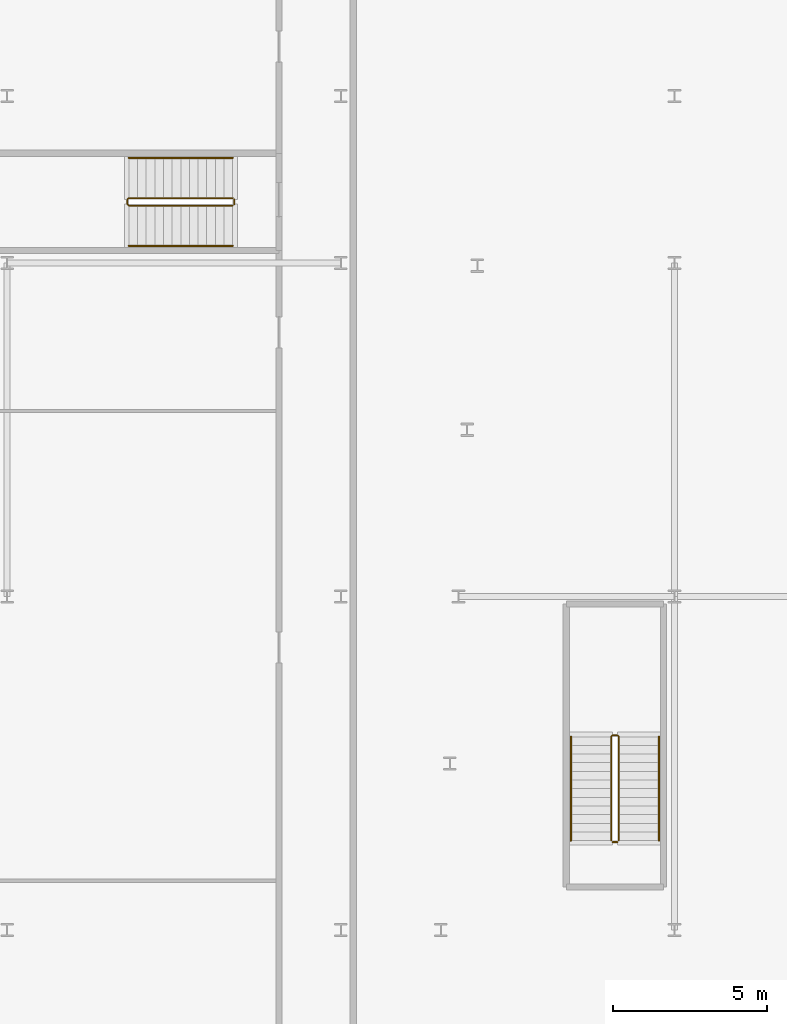
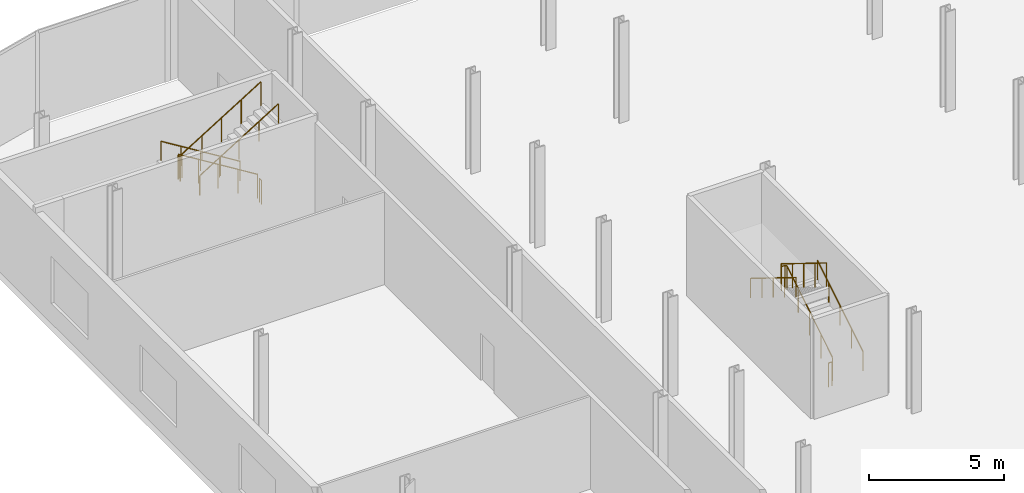
# One storey, part 45 of 47: 8 railings.
"""IFC4 building model written with IfcOpenShell, lengths in metres."""

from ifc_helpers import new_model, si_unit, direction, frame, origin, origin_2d, place, context, subcontext, project, spatial, circle, extrude, material, type_object, element, save


model = new_model("IFC4")

# Units and contexts
model_context = context("Model", 3, precision=1e-05, world=origin(), true_north=direction((0.0, 1.0)))
body_context = subcontext(model_context, "Body", "Model", "MODEL_VIEW")
ifc_project = project(units=[si_unit("LENGTHUNIT", "METRE"), si_unit("AREAUNIT", "SQUARE_METRE"), si_unit("VOLUMEUNIT", "CUBIC_METRE"), si_unit("PLANEANGLEUNIT", "RADIAN"), si_unit("MASSUNIT", "GRAM", prefix="KILO")], contexts=[model_context])

# Site, building, storey
site_placement = place(None, origin())
site = spatial("IfcSite", under=ifc_project, at=site_placement, CompositionType="ELEMENT")
building_placement = place(site_placement, origin())
building = spatial("IfcBuilding", under=site, at=building_placement, Name="Kheshtan School and Residences Tower", CompositionType="ELEMENT")
storey_placement = place(building_placement, frame((0.0, 0.0, 21.5)))
storey = spatial("IfcBuildingStorey", under=building, at=storey_placement, Name="L04", CompositionType="ELEMENT", Elevation=21.5)

# Railings
ifc_material_1 = material(Name="Stainless steel balustrade", Category="steel")
railing_type_1 = type_object("IfcRailingType", Name="Stair guard 1100", PredefinedType="GUARDRAIL", material=ifc_material_1)
railing_1_placement = place(storey_placement, frame((35.0, 80.89990234375, 0.173095703125)))
element("IfcRailing", 1, at=railing_1_placement, inside=storey, type_object=railing_type_1, Name="L04 ST3 stair guard 1", PredefinedType="GUARDRAIL", context=body_context, shape_type="SweptSolid", body=[
    extrude(circle(Radius=0.02392578125, at=origin_2d()), frame((0.0, 0.0, 1.076171875), z_axis=(0.0, 0.850623216509, 0.525775754039), x_axis=(-1.0, 0.0, 0.0)), (0.0, 0.0, 1.0), 3.9501953125),
    extrude(circle(Radius=0.02392578125, at=origin_2d()), frame((0.0, 3.360107421875, 3.15283203125), z_axis=(-0.707106781187, 0.707106781187, 0.0), x_axis=(-0.707106781187, -0.707106781187, 0.0)), (0.0, 0.0, 1.0), 0.07080078125),
    extrude(circle(Radius=0.02392578125, at=origin_2d()), frame((-0.050048828125, 3.41015625, 3.15283203125), z_axis=(-1.0, 0.0, 0.0), x_axis=(0.0, -1.0, 0.0)), (0.0, 0.0, 1.0), 0.14990234375),
    extrude(circle(Radius=0.02392578125, at=origin_2d()), frame((-0.199951171875, 3.41015625, 3.15283203125), z_axis=(-0.267629722418, -0.267629722418, 0.925607186314), x_axis=(0.707106781187, -0.707106781187, 0.0)), (0.0, 0.0, 1.0), 0.18701171875),
    extrude(circle(Radius=0.02392578125, at=origin_2d()), frame((-0.25, 3.360107421875, 3.326171875), z_axis=(0.0, -0.850623216509, 0.525775754039), x_axis=(1.0, 0.0, 0.0)), (0.0, 0.0, 1.0), 3.9501953125),
    extrude(circle(Radius=0.02099609375, at=origin_2d()), origin(), (0.0, 0.0, 1.0), 1.052001953125),
    extrude(circle(Radius=0.02099609375, at=origin_2d()), frame((0.0, 0.840087890625, 0.519287109375)), (0.0, 0.0, 1.0), 1.052001953125),
    extrude(circle(Radius=0.02099609375, at=origin_2d()), frame((0.0, 1.68017578125, 1.03857421875)), (0.0, 0.0, 1.0), 1.052001953125),
    extrude(circle(Radius=0.02099609375, at=origin_2d()), frame((0.0, 2.52001953125, 1.5576171875)), (0.0, 0.0, 1.0), 1.052001953125),
    extrude(circle(Radius=0.02099609375, at=origin_2d()), frame((0.0, 3.360107421875, 2.076904296875)), (0.0, 0.0, 1.0), 1.052001953125),
    extrude(circle(Radius=0.02099609375, at=origin_2d()), frame((-0.050048828125, 3.41015625, 2.076904296875)), (0.0, 0.0, 1.0), 1.052001953125),
    extrude(circle(Radius=0.02099609375, at=origin_2d()), frame((-0.199951171875, 3.41015625, 2.076904296875)), (0.0, 0.0, 1.0), 1.052001953125),
    extrude(circle(Radius=0.02099609375, at=origin_2d()), frame((-0.25, 3.360107421875, 2.25)), (0.0, 0.0, 1.0), 1.052001953125),
    extrude(circle(Radius=0.02099609375, at=origin_2d()), frame((-0.25, 2.52001953125, 2.769287109375)), (0.0, 0.0, 1.0), 1.052001953125),
    extrude(circle(Radius=0.02099609375, at=origin_2d()), frame((-0.25, 1.68017578125, 3.28857421875)), (0.0, 0.0, 1.0), 1.052001953125),
    extrude(circle(Radius=0.02099609375, at=origin_2d()), frame((-0.25, 0.840087890625, 3.8076171875)), (0.0, 0.0, 1.0), 1.052001953125),
    extrude(circle(Radius=0.02099609375, at=origin_2d()), frame((-0.25, 0.0, 4.326904296875)), (0.0, 0.0, 1.0), 1.052001953125),
])
railing_2_placement = place(storey_placement, frame((34.949951171875, 80.85009765625, 0.0)))
element("IfcRailing", 2, at=railing_2_placement, inside=storey, type_object=railing_type_1, Name="L04 ST3 stair guard 2", PredefinedType="GUARDRAIL", context=body_context, shape_type="SweptSolid", body=[
    extrude(circle(Radius=0.02392578125, at=origin_2d()), frame((0.0, 0.0, 1.076171875), z_axis=(-1.0, 0.0, 0.0), x_axis=(0.0, -1.0, 0.0)), (0.0, 0.0, 1.0), 0.14990234375),
    extrude(circle(Radius=0.02099609375, at=origin_2d()), origin(), (0.0, 0.0, 1.0), 1.052001953125),
    extrude(circle(Radius=0.02099609375, at=origin_2d()), frame((-0.14990234375, 0.0, 0.0)), (0.0, 0.0, 1.0), 1.052001953125),
])
railing_3_placement = place(storey_placement, frame((22.5, 101.699951171875, 0.173095703125)))
element("IfcRailing", 3, at=railing_3_placement, inside=storey, type_object=railing_type_1, Name="L04 PS-012-100 stair guard 1", PredefinedType="GUARDRAIL", context=body_context, shape_type="SweptSolid", body=[
    extrude(circle(Radius=0.02392578125, at=origin_2d()), frame((0.0, 0.0, 1.076171875), z_axis=(-0.850623216509, 0.0, 0.525775754039), x_axis=(0.0, -1.0, 0.0)), (0.0, 0.0, 1.0), 3.9501953125),
    extrude(circle(Radius=0.02392578125, at=origin_2d()), frame((-3.360107421875, 0.0, 3.15283203125), z_axis=(-0.705375805398, -0.708833529934, 0.0), x_axis=(0.708833529934, -0.705375805398, 0.0)), (0.0, 0.0, 1.0), 0.070556640625),
    extrude(circle(Radius=0.02392578125, at=origin_2d()), frame((-3.409912109375, -0.050048828125, 3.15283203125), z_axis=(0.0, -1.0, 0.0), x_axis=(1.0, 0.0, 0.0)), (0.0, 0.0, 1.0), 0.14990234375),
    extrude(circle(Radius=0.02392578125, at=origin_2d()), frame((-3.409912109375, -0.199951171875, 3.15283203125), z_axis=(0.266417085129, -0.267723051232, 0.925929967433), x_axis=(0.708833529934, 0.705375805398, 0.0)), (0.0, 0.0, 1.0), 0.18701171875),
    extrude(circle(Radius=0.02392578125, at=origin_2d()), frame((-3.360107421875, -0.25, 3.326171875), z_axis=(0.850623216509, 0.0, 0.525775754039), x_axis=(0.0, 1.0, 0.0)), (0.0, 0.0, 1.0), 3.9501953125),
    extrude(circle(Radius=0.02099609375, at=origin_2d()), origin(), (0.0, 0.0, 1.0), 1.052001953125),
    extrude(circle(Radius=0.02099609375, at=origin_2d()), frame((-0.840087890625, 0.0, 0.519287109375)), (0.0, 0.0, 1.0), 1.052001953125),
    extrude(circle(Radius=0.02099609375, at=origin_2d()), frame((-1.68017578125, 0.0, 1.03857421875)), (0.0, 0.0, 1.0), 1.052001953125),
    extrude(circle(Radius=0.02099609375, at=origin_2d()), frame((-2.52001953125, 0.0, 1.5576171875)), (0.0, 0.0, 1.0), 1.052001953125),
    extrude(circle(Radius=0.02099609375, at=origin_2d()), frame((-3.360107421875, 0.0, 2.076904296875)), (0.0, 0.0, 1.0), 1.052001953125),
    extrude(circle(Radius=0.02099609375, at=origin_2d()), frame((-3.409912109375, -0.050048828125, 2.076904296875)), (0.0, 0.0, 1.0), 1.052001953125),
    extrude(circle(Radius=0.02099609375, at=origin_2d()), frame((-3.409912109375, -0.199951171875, 2.076904296875)), (0.0, 0.0, 1.0), 1.052001953125),
    extrude(circle(Radius=0.02099609375, at=origin_2d()), frame((-3.360107421875, -0.25, 2.25)), (0.0, 0.0, 1.0), 1.052001953125),
    extrude(circle(Radius=0.02099609375, at=origin_2d()), frame((-2.52001953125, -0.25, 2.769287109375)), (0.0, 0.0, 1.0), 1.052001953125),
    extrude(circle(Radius=0.02099609375, at=origin_2d()), frame((-1.68017578125, -0.25, 3.28857421875)), (0.0, 0.0, 1.0), 1.052001953125),
    extrude(circle(Radius=0.02099609375, at=origin_2d()), frame((-0.840087890625, -0.25, 3.8076171875)), (0.0, 0.0, 1.0), 1.052001953125),
    extrude(circle(Radius=0.02099609375, at=origin_2d()), frame((0.0, -0.25, 4.326904296875)), (0.0, 0.0, 1.0), 1.052001953125),
])
railing_4_placement = place(storey_placement, frame((22.550048828125, 101.64990234375, 0.0)))
element("IfcRailing", 4, at=railing_4_placement, inside=storey, type_object=railing_type_1, Name="L04 PS-012-100 stair guard 2", PredefinedType="GUARDRAIL", context=body_context, shape_type="SweptSolid", body=[
    extrude(circle(Radius=0.02392578125, at=origin_2d()), frame((0.0, 0.0, 1.076171875), z_axis=(0.0, -1.0, 0.0), x_axis=(1.0, 0.0, 0.0)), (0.0, 0.0, 1.0), 0.14990234375),
    extrude(circle(Radius=0.02099609375, at=origin_2d()), origin(), (0.0, 0.0, 1.0), 1.052001953125),
    extrude(circle(Radius=0.02099609375, at=origin_2d()), frame((0.0, -0.14990234375, 0.0)), (0.0, 0.0, 1.0), 1.052001953125),
])
ifc_material_2 = material(Name="Stainless steel handrail", Category="steel")
railing_type_2 = type_object("IfcRailingType", Name="Stair handrail 900", PredefinedType="HANDRAIL", material=ifc_material_2)
railing_5_placement = place(storey_placement, frame((36.300048828125, 80.89990234375, 0.173095703125)))
element("IfcRailing", 5, at=railing_5_placement, inside=storey, type_object=railing_type_2, Name="L04 ST3 stair handrail 1", PredefinedType="HANDRAIL", context=body_context, shape_type="SweptSolid", body=[
    extrude(circle(Radius=0.02392578125, at=origin_2d()), frame((0.0, 0.0, 0.8759765625), z_axis=(0.0, 0.850623216509, 0.525775754039), x_axis=(-1.0, 0.0, 0.0)), (0.0, 0.0, 1.0), 3.9501953125),
    extrude(circle(Radius=0.02099609375, at=origin_2d()), origin(), (0.0, 0.0, 1.0), 0.851806640625),
    extrude(circle(Radius=0.02099609375, at=origin_2d()), frame((0.0, 0.840087890625, 0.519287109375)), (0.0, 0.0, 1.0), 0.851806640625),
    extrude(circle(Radius=0.02099609375, at=origin_2d()), frame((0.0, 1.68017578125, 1.03857421875)), (0.0, 0.0, 1.0), 0.851806640625),
    extrude(circle(Radius=0.02099609375, at=origin_2d()), frame((0.0, 2.52001953125, 1.5576171875)), (0.0, 0.0, 1.0), 0.851806640625),
    extrude(circle(Radius=0.02099609375, at=origin_2d()), frame((0.0, 3.360107421875, 2.076904296875)), (0.0, 0.0, 1.0), 0.851806640625),
])
railing_6_placement = place(storey_placement, frame((33.449951171875, 84.260009765625, 2.423095703125)))
element("IfcRailing", 6, at=railing_6_placement, inside=storey, type_object=railing_type_2, Name="L04 ST3 stair handrail 2", PredefinedType="HANDRAIL", context=body_context, shape_type="SweptSolid", body=[
    extrude(circle(Radius=0.02392578125, at=origin_2d()), frame((0.0, 0.0, 0.8759765625), z_axis=(0.0, -0.850623216509, 0.525775754039), x_axis=(1.0, 0.0, 0.0)), (0.0, 0.0, 1.0), 3.9501953125),
    extrude(circle(Radius=0.02099609375, at=origin_2d()), origin(), (0.0, 0.0, 1.0), 0.851806640625),
    extrude(circle(Radius=0.02099609375, at=origin_2d()), frame((0.0, -0.840087890625, 0.519287109375)), (0.0, 0.0, 1.0), 0.851806640625),
    extrude(circle(Radius=0.02099609375, at=origin_2d()), frame((0.0, -1.68017578125, 1.03857421875)), (0.0, 0.0, 1.0), 0.851806640625),
    extrude(circle(Radius=0.02099609375, at=origin_2d()), frame((0.0, -2.52001953125, 1.5576171875)), (0.0, 0.0, 1.0), 0.851806640625),
    extrude(circle(Radius=0.02099609375, at=origin_2d()), frame((0.0, -3.360107421875, 2.076904296875)), (0.0, 0.0, 1.0), 0.851806640625),
])
railing_7_placement = place(storey_placement, frame((22.5, 103.0, 0.173095703125)))
element("IfcRailing", 7, at=railing_7_placement, inside=storey, type_object=railing_type_2, Name="L04 PS-012-100 stair handrail 1", PredefinedType="HANDRAIL", context=body_context, shape_type="SweptSolid", body=[
    extrude(circle(Radius=0.02392578125, at=origin_2d()), frame((0.0, 0.0, 0.8759765625), z_axis=(-0.850623216509, 0.0, 0.525775754039), x_axis=(0.0, -1.0, 0.0)), (0.0, 0.0, 1.0), 3.9501953125),
    extrude(circle(Radius=0.02099609375, at=origin_2d()), origin(), (0.0, 0.0, 1.0), 0.851806640625),
    extrude(circle(Radius=0.02099609375, at=origin_2d()), frame((-0.840087890625, 0.0, 0.519287109375)), (0.0, 0.0, 1.0), 0.851806640625),
    extrude(circle(Radius=0.02099609375, at=origin_2d()), frame((-1.68017578125, 0.0, 1.03857421875)), (0.0, 0.0, 1.0), 0.851806640625),
    extrude(circle(Radius=0.02099609375, at=origin_2d()), frame((-2.52001953125, 0.0, 1.5576171875)), (0.0, 0.0, 1.0), 0.851806640625),
    extrude(circle(Radius=0.02099609375, at=origin_2d()), frame((-3.360107421875, 0.0, 2.076904296875)), (0.0, 0.0, 1.0), 0.851806640625),
])
railing_8_placement = place(storey_placement, frame((19.139892578125, 100.14990234375, 2.423095703125)))
element("IfcRailing", 8, at=railing_8_placement, inside=storey, type_object=railing_type_2, Name="L04 PS-012-100 stair handrail 2", PredefinedType="HANDRAIL", context=body_context, shape_type="SweptSolid", body=[
    extrude(circle(Radius=0.02392578125, at=origin_2d()), frame((0.0, 0.0, 0.8759765625), z_axis=(0.850623216509, 0.0, 0.525775754039), x_axis=(0.0, 1.0, 0.0)), (0.0, 0.0, 1.0), 3.9501953125),
    extrude(circle(Radius=0.02099609375, at=origin_2d()), origin(), (0.0, 0.0, 1.0), 0.851806640625),
    extrude(circle(Radius=0.02099609375, at=origin_2d()), frame((0.840087890625, 0.0, 0.519287109375)), (0.0, 0.0, 1.0), 0.851806640625),
    extrude(circle(Radius=0.02099609375, at=origin_2d()), frame((1.68017578125, 0.0, 1.03857421875)), (0.0, 0.0, 1.0), 0.851806640625),
    extrude(circle(Radius=0.02099609375, at=origin_2d()), frame((2.52001953125, 0.0, 1.5576171875)), (0.0, 0.0, 1.0), 0.851806640625),
    extrude(circle(Radius=0.02099609375, at=origin_2d()), frame((3.360107421875, 0.0, 2.076904296875)), (0.0, 0.0, 1.0), 0.851806640625),
])

save(model, "model.ifc")
